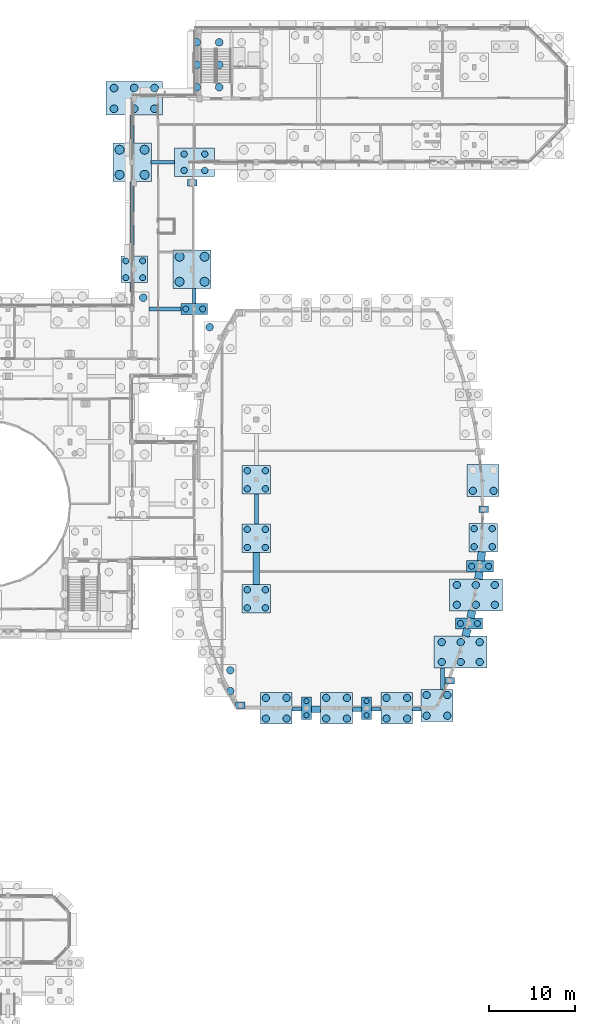
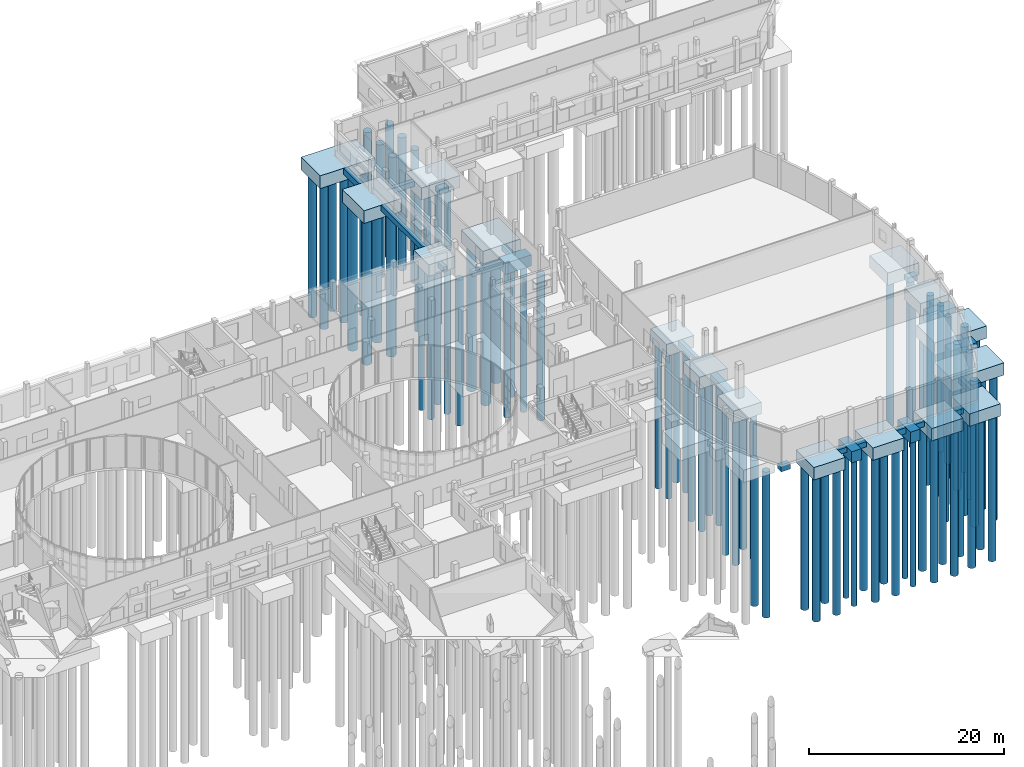
# One storey, part 8 of 93: 88 piles, 43 footings.
"""IFC4 building model written with IfcOpenShell, lengths in metres."""

from ifc_helpers import new_model, si_unit, direction, frame, origin, origin_2d, place, context, subcontext, project, spatial, rectangle, circle, extrude, material, material_profile, profile_set, type_object, element, save


model = new_model("IFC4")

# Units and contexts
model_context = context("Model", 3, precision=1e-05, world=origin(), true_north=direction((0.0, 1.0)))
body_context = subcontext(model_context, "Body", "Model", "MODEL_VIEW")
ifc_project = project(units=[si_unit("LENGTHUNIT", "METRE"), si_unit("AREAUNIT", "SQUARE_METRE"), si_unit("VOLUMEUNIT", "CUBIC_METRE"), si_unit("PLANEANGLEUNIT", "RADIAN"), si_unit("MASSUNIT", "GRAM", prefix="KILO")], contexts=[model_context])

# Site, building, storey
site_placement = place(None, origin())
site = spatial("IfcSite", under=ifc_project, at=site_placement, CompositionType="ELEMENT")
building_placement = place(site_placement, origin())
building = spatial("IfcBuilding", under=site, at=building_placement, Name="Kelanivale Promenade Academy", CompositionType="ELEMENT")
storey_placement = place(building_placement, origin())
storey = spatial("IfcBuildingStorey", under=building, at=storey_placement, Name="L00", CompositionType="ELEMENT", Elevation=0.0)

# Piles
ifc_material = material(Name="Concrete C35/45", Category="concrete")
ifc_material_profile_1 = material_profile(ifc_material, circle(Radius=0.300048828125, at=origin_2d()), Name="BORED PILE D600")
ifc_profile_set_1 = profile_set([ifc_material_profile_1], Name="Concrete C35/45")
pile_type_1 = type_object("IfcPileType", Name="BP-1 BORED PILE D600", PredefinedType="BORED", material=ifc_profile_set_1)
for number, where, z_axis, x_axis, name in (
    (1, (135.801025390625, 32.300048828125, -1.550048828125), (0.0, 0.0, -1.0), (1.0, 0.0, 0.0), "Bored pile FC-158-BP1-P01"),
    (2, (135.801025390625, 33.93994140625, -1.550048828125), (0.0, 0.0, -1.0), (1.0, 0.0, 0.0), "Bored pile FC-158-BP1-P02"),
    (3, (142.787109375, 32.300048828125, -1.550048828125), (0.0, 0.0, -1.0), (1.0, 0.0, 0.0), "Bored pile FC-162-BP1-P01"),
    (4, (142.787109375, 33.93994140625, -1.550048828125), (0.0, 0.0, -1.0), (1.0, 0.0, 0.0), "Bored pile FC-162-BP1-P02"),
):
    element("IfcPile", number, at=place(storey_placement, frame(where, z_axis=z_axis, x_axis=x_axis)), inside=storey, type_object=pile_type_1, Name=name, PredefinedType="BORED", context=body_context, shape_type="SweptSolid", body=[
        extrude(circle(Radius=0.300048828125, at=origin_2d()), origin(), (0.0, 0.0, 1.0), 18.449951171875),
    ])
ifc_material_profile_2 = material_profile(ifc_material, circle(Radius=0.35009765625, at=origin_2d()), Name="BORED PILE D700")
ifc_profile_set_2 = profile_set([ifc_material_profile_2], Name="Concrete C35/45")
pile_type_2 = type_object("IfcPileType", Name="BP-2 BORED PILE D700", PredefinedType="BORED", material=ifc_profile_set_2)
for number, where, z_axis, x_axis, name in (
    (5, (114.8701171875, 83.02001953125, -1.550048828125), (0.0, 0.0, -1.0), (1.0, 0.0, 0.0), "Bored pile FC-139-BP2-P01"),
    (6, (114.8701171875, 84.97998046875, -1.550048828125), (0.0, 0.0, -1.0), (1.0, 0.0, 0.0), "Bored pile FC-139-BP2-P02"),
    (7, (116.830078125, 83.02001953125, -1.550048828125), (0.0, 0.0, -1.0), (1.0, 0.0, 0.0), "Bored pile FC-139-BP2-P03"),
    (8, (116.830078125, 84.97998046875, -1.550048828125), (0.0, 0.0, -1.0), (1.0, 0.0, 0.0), "Bored pile FC-139-BP2-P04"),
):
    element("IfcPile", number, at=place(storey_placement, frame(where, z_axis=z_axis, x_axis=x_axis)), inside=storey, type_object=pile_type_2, Name=name, PredefinedType="BORED", context=body_context, shape_type="SweptSolid", body=[
        extrude(circle(Radius=0.35009765625, at=origin_2d()), origin(), (0.0, 0.0, 1.0), 18.449951171875),
    ])
for number, where, z_axis, x_axis, name in (
    (9, (121.820068359375, 79.39990234375, -1.5), (0.0, 0.0, -1.0), (1.0, 0.0, 0.0), "Bored pile FC-143-BP2-P01"),
    (10, (123.780029296875, 79.39990234375, -1.5), (0.0, 0.0, -1.0), (1.0, 0.0, 0.0), "Bored pile FC-143-BP2-P02"),
):
    element("IfcPile", number, at=place(storey_placement, frame(where, z_axis=z_axis, x_axis=x_axis)), inside=storey, type_object=pile_type_2, Name=name, PredefinedType="BORED", context=body_context, shape_type="SweptSolid", body=[
        extrude(circle(Radius=0.35009765625, at=origin_2d()), origin(), (0.0, 0.0, 1.0), 18.5),
    ])
for number, where, z_axis, x_axis, name in (
    (11, (153.662109375, 42.943115234375, -1.550048828125), (0.0, 0.0, -1.0), (1.0, 0.0, 0.0), "Bored pile FC-176-BP2-P01"),
    (12, (155.6220703125, 42.943115234375, -1.550048828125), (0.0, 0.0, -1.0), (1.0, 0.0, 0.0), "Bored pile FC-176-BP2-P02"),
    (13, (154.9560546875, 49.571044921875, -1.550048828125), (0.0, 0.0, -1.0), (1.0, 0.0, 0.0), "Bored pile FC-182-BP2-P01"),
    (14, (156.916015625, 49.571044921875, -1.550048828125), (0.0, 0.0, -1.0), (1.0, 0.0, 0.0), "Bored pile FC-182-BP2-P02"),
):
    element("IfcPile", number, at=place(storey_placement, frame(where, z_axis=z_axis, x_axis=x_axis)), inside=storey, type_object=pile_type_2, Name=name, PredefinedType="BORED", context=body_context, shape_type="SweptSolid", body=[
        extrude(circle(Radius=0.35009765625, at=origin_2d()), origin(), (0.0, 0.0, 1.0), 18.449951171875),
    ])
ifc_material_profile_3 = material_profile(ifc_material, circle(Radius=0.375, at=origin_2d()), Name="BORED PILE D750")
ifc_profile_set_3 = profile_set([ifc_material_profile_3], Name="Concrete C35/45")
pile_type_3 = type_object("IfcPileType", Name="BP-3 BORED PILE D750", PredefinedType="BORED", material=ifc_profile_set_3)
for number, where, z_axis, x_axis, name in (
    (15, (121.625, 95.449951171875, -1.60009765625), (0.0, 0.0, -1.0), (1.0, 0.0, 0.0), "Bored pile FC-MJ-EN1-BP3-P01"),
    (16, (121.625, 97.35009765625, -1.60009765625), (0.0, 0.0, -1.0), (1.0, 0.0, 0.0), "Bored pile FC-MJ-EN1-BP3-P02"),
    (17, (124.02490234375, 95.449951171875, -1.60009765625), (0.0, 0.0, -1.0), (1.0, 0.0, 0.0), "Bored pile FC-MJ-EN1-BP3-P03"),
    (18, (124.02490234375, 97.35009765625, -1.60009765625), (0.0, 0.0, -1.0), (1.0, 0.0, 0.0), "Bored pile FC-MJ-EN1-BP3-P04"),
):
    element("IfcPile", number, at=place(storey_placement, frame(where, z_axis=z_axis, x_axis=x_axis)), inside=storey, type_object=pile_type_3, Name=name, PredefinedType="BORED", context=body_context, shape_type="SweptSolid", body=[
        extrude(circle(Radius=0.375, at=origin_2d()), origin(), (0.0, 0.0, 1.0), 18.39990234375),
    ])
for number, where, z_axis, x_axis, name in (
    (19, (128.949951171875, 44.75, -1.64990234375), (0.0, 0.0, -1.0), (1.0, 0.0, 0.0), "Bored pile FC-149-BP3-P01"),
    (20, (128.949951171875, 46.85009765625, -1.64990234375), (0.0, 0.0, -1.0), (1.0, 0.0, 0.0), "Bored pile FC-149-BP3-P02"),
    (21, (131.050048828125, 44.75, -1.64990234375), (0.0, 0.0, -1.0), (1.0, 0.0, 0.0), "Bored pile FC-149-BP3-P03"),
    (22, (131.050048828125, 46.85009765625, -1.64990234375), (0.0, 0.0, -1.0), (1.0, 0.0, 0.0), "Bored pile FC-149-BP3-P04"),
    (23, (128.949951171875, 51.75, -1.64990234375), (0.0, 0.0, -1.0), (1.0, 0.0, 0.0), "Bored pile FC-150-BP3-P01"),
    (24, (128.949951171875, 53.85009765625, -1.64990234375), (0.0, 0.0, -1.0), (1.0, 0.0, 0.0), "Bored pile FC-150-BP3-P02"),
    (25, (131.050048828125, 51.75, -1.64990234375), (0.0, 0.0, -1.0), (1.0, 0.0, 0.0), "Bored pile FC-150-BP3-P03"),
    (26, (131.050048828125, 53.85009765625, -1.64990234375), (0.0, 0.0, -1.0), (1.0, 0.0, 0.0), "Bored pile FC-150-BP3-P04"),
    (27, (128.949951171875, 58.550048828125, -1.64990234375), (0.0, 0.0, -1.0), (1.0, 0.0, 0.0), "Bored pile FC-151-BP3-P01"),
    (28, (128.949951171875, 60.64990234375, -1.64990234375), (0.0, 0.0, -1.0), (1.0, 0.0, 0.0), "Bored pile FC-151-BP3-P02"),
    (29, (131.050048828125, 58.550048828125, -1.64990234375), (0.0, 0.0, -1.0), (1.0, 0.0, 0.0), "Bored pile FC-151-BP3-P03"),
    (30, (131.050048828125, 60.64990234375, -1.64990234375), (0.0, 0.0, -1.0), (1.0, 0.0, 0.0), "Bored pile FC-151-BP3-P04"),
    (31, (155.243896484375, 51.8359375, -1.64990234375), (0.0, 0.0, -1.0), (1.0, 0.0, 0.0), "Bored pile FC-183-BP3-P01"),
    (32, (155.243896484375, 53.93603515625, -1.64990234375), (0.0, 0.0, -1.0), (1.0, 0.0, 0.0), "Bored pile FC-183-BP3-P02"),
    (33, (157.343994140625, 51.8359375, -1.64990234375), (0.0, 0.0, -1.0), (1.0, 0.0, 0.0), "Bored pile FC-183-BP3-P03"),
    (34, (157.343994140625, 53.93603515625, -1.64990234375), (0.0, 0.0, -1.0), (1.0, 0.0, 0.0), "Bored pile FC-183-BP3-P04"),
):
    element("IfcPile", number, at=place(storey_placement, frame(where, z_axis=z_axis, x_axis=x_axis)), inside=storey, type_object=pile_type_3, Name=name, PredefinedType="BORED", context=body_context, shape_type="SweptSolid", body=[
        extrude(circle(Radius=0.375, at=origin_2d()), origin(), (0.0, 0.0, 1.0), 18.35009765625),
    ])
ifc_material_profile_4 = material_profile(ifc_material, circle(Radius=0.425048828125, at=origin_2d()), Name="BORED PILE D850")
ifc_profile_set_4 = profile_set([ifc_material_profile_4], Name="Concrete C35/45")
pile_type_4 = type_object("IfcPileType", Name="BP-4 BORED PILE D850", PredefinedType="BORED", material=ifc_profile_set_4)
for number, where, z_axis, x_axis, name in (
    (35, (126.989990234375, 35.114013671875, -1.699951171875), (0.0, 0.0, -1.0), (1.0, 0.0, 0.0), "Bored pile FC-147-BP4-P03"),
    (36, (126.989990234375, 37.513916015625, -1.699951171875), (0.0, 0.0, -1.0), (1.0, 0.0, 0.0), "Bored pile FC-147-BP4-P04"),
    (37, (124.590087890625, 77.285888671875, -1.699951171875), (0.0, 0.0, -1.0), (1.0, 0.0, 0.0), "Bored pile FC-148-BP4-P02"),
    (38, (131.10791015625, 31.919921875, -1.699951171875), (0.0, 0.0, -1.0), (1.0, 0.0, 0.0), "Bored pile FC-154-BP4-P01"),
    (39, (131.10791015625, 34.320068359375, -1.699951171875), (0.0, 0.0, -1.0), (1.0, 0.0, 0.0), "Bored pile FC-154-BP4-P02"),
    (40, (133.508056640625, 31.919921875, -1.699951171875), (0.0, 0.0, -1.0), (1.0, 0.0, 0.0), "Bored pile FC-154-BP4-P03"),
    (41, (133.508056640625, 34.320068359375, -1.699951171875), (0.0, 0.0, -1.0), (1.0, 0.0, 0.0), "Bored pile FC-154-BP4-P04"),
    (42, (138.093994140625, 31.919921875, -1.699951171875), (0.0, 0.0, -1.0), (1.0, 0.0, 0.0), "Bored pile FC-160-BP4-P01"),
    (43, (138.093994140625, 34.320068359375, -1.699951171875), (0.0, 0.0, -1.0), (1.0, 0.0, 0.0), "Bored pile FC-160-BP4-P02"),
    (44, (140.493896484375, 31.919921875, -1.699951171875), (0.0, 0.0, -1.0), (1.0, 0.0, 0.0), "Bored pile FC-160-BP4-P03"),
    (45, (140.493896484375, 34.320068359375, -1.699951171875), (0.0, 0.0, -1.0), (1.0, 0.0, 0.0), "Bored pile FC-160-BP4-P04"),
    (46, (145.080078125, 31.919921875, -1.699951171875), (0.0, 0.0, -1.0), (1.0, 0.0, 0.0), "Bored pile FC-166-BP4-P01"),
    (47, (145.080078125, 34.320068359375, -1.699951171875), (0.0, 0.0, -1.0), (1.0, 0.0, 0.0), "Bored pile FC-166-BP4-P02"),
    (48, (147.47998046875, 31.919921875, -1.699951171875), (0.0, 0.0, -1.0), (1.0, 0.0, 0.0), "Bored pile FC-166-BP4-P03"),
    (49, (147.47998046875, 34.320068359375, -1.699951171875), (0.0, 0.0, -1.0), (1.0, 0.0, 0.0), "Bored pile FC-166-BP4-P04"),
    (50, (149.738037109375, 32.25, -1.699951171875), (0.0, 0.0, -1.0), (1.0, 0.0, 0.0), "Bored pile FC-170-BP4-P01"),
    (51, (149.738037109375, 34.64990234375, -1.699951171875), (0.0, 0.0, -1.0), (1.0, 0.0, 0.0), "Bored pile FC-170-BP4-P02"),
    (52, (152.137939453125, 32.25, -1.699951171875), (0.0, 0.0, -1.0), (1.0, 0.0, 0.0), "Bored pile FC-170-BP4-P03"),
    (53, (152.137939453125, 34.64990234375, -1.699951171875), (0.0, 0.0, -1.0), (1.0, 0.0, 0.0), "Bored pile FC-170-BP4-P04"),
    (54, (151.489013671875, 38.47900390625, -1.699951171875), (0.0, 0.0, -1.0), (1.0, 0.0, 0.0), "Bored pile FC-174-BP4-P01"),
    (55, (153.68896484375, 38.47900390625, -1.699951171875), (0.0, 0.0, -1.0), (1.0, 0.0, 0.0), "Bored pile FC-174-BP4-P02"),
    (56, (155.888916015625, 38.47900390625, -1.699951171875), (0.0, 0.0, -1.0), (1.0, 0.0, 0.0), "Bored pile FC-174-BP4-P03"),
    (57, (151.489013671875, 40.779052734375, -1.699951171875), (0.0, 0.0, -1.0), (1.0, 0.0, 0.0), "Bored pile FC-174-BP4-P04"),
    (58, (153.68896484375, 40.779052734375, -1.699951171875), (0.0, 0.0, -1.0), (1.0, 0.0, 0.0), "Bored pile FC-174-BP4-P05"),
    (59, (155.888916015625, 40.779052734375, -1.699951171875), (0.0, 0.0, -1.0), (1.0, 0.0, 0.0), "Bored pile FC-174-BP4-P06"),
    (60, (153.240966796875, 45.10693359375, -1.699951171875), (0.0, 0.0, -1.0), (1.0, 0.0, 0.0), "Bored pile FC-180-BP4-P01"),
    (61, (155.44091796875, 45.10693359375, -1.699951171875), (0.0, 0.0, -1.0), (1.0, 0.0, 0.0), "Bored pile FC-180-BP4-P02"),
    (62, (157.64111328125, 45.10693359375, -1.699951171875), (0.0, 0.0, -1.0), (1.0, 0.0, 0.0), "Bored pile FC-180-BP4-P03"),
    (63, (153.240966796875, 47.406982421875, -1.699951171875), (0.0, 0.0, -1.0), (1.0, 0.0, 0.0), "Bored pile FC-180-BP4-P04"),
    (64, (155.44091796875, 47.406982421875, -1.699951171875), (0.0, 0.0, -1.0), (1.0, 0.0, 0.0), "Bored pile FC-180-BP4-P05"),
    (65, (157.64111328125, 47.406982421875, -1.699951171875), (0.0, 0.0, -1.0), (1.0, 0.0, 0.0), "Bored pile FC-180-BP4-P06"),
    (66, (155.093994140625, 58.31396484375, -1.699951171875), (0.0, 0.0, -1.0), (1.0, 0.0, 0.0), "Bored pile FC-184-BP4-P01"),
    (67, (157.493896484375, 58.31396484375, -1.699951171875), (0.0, 0.0, -1.0), (1.0, 0.0, 0.0), "Bored pile FC-184-BP4-P03"),
):
    element("IfcPile", number, at=place(storey_placement, frame(where, z_axis=z_axis, x_axis=x_axis)), inside=storey, type_object=pile_type_4, Name=name, PredefinedType="BORED", context=body_context, shape_type="SweptSolid", body=[
        extrude(circle(Radius=0.425048828125, at=origin_2d()), origin(), (0.0, 0.0, 1.0), 18.300048828125),
    ])
ifc_material_profile_5 = material_profile(ifc_material, circle(Radius=0.449951171875, at=origin_2d()), Name="BORED PILE D900")
ifc_profile_set_5 = profile_set([ifc_material_profile_5], Name="Concrete C35/45")
pile_type_5 = type_object("IfcPileType", Name="BP-5 BORED PILE D900", PredefinedType="BORED", material=ifc_profile_set_5)
for number, where, z_axis, x_axis, name in (
    (68, (123.10009765625, 105.10009765625, -3.300048828125), (0.0, 0.0, -1.0), (1.0, 0.0, 0.0), "Bored pile FC-CORE-05-BP5-P01"),
    (69, (123.10009765625, 107.699951171875, -3.300048828125), (0.0, 0.0, -1.0), (1.0, 0.0, 0.0), "Bored pile FC-CORE-05-BP5-P02"),
    (70, (123.10009765625, 110.300048828125, -3.300048828125), (0.0, 0.0, -1.0), (1.0, 0.0, 0.0), "Bored pile FC-CORE-05-BP5-P03"),
    (71, (125.699951171875, 105.10009765625, -3.300048828125), (0.0, 0.0, -1.0), (1.0, 0.0, 0.0), "Bored pile FC-CORE-05-BP5-P04"),
    (72, (125.699951171875, 107.699951171875, -3.300048828125), (0.0, 0.0, -1.0), (1.0, 0.0, 0.0), "Bored pile FC-CORE-05-BP5-P05"),
    (73, (125.699951171875, 110.300048828125, -3.300048828125), (0.0, 0.0, -1.0), (1.0, 0.0, 0.0), "Bored pile FC-CORE-05-BP5-P06"),
):
    element("IfcPile", number, at=place(storey_placement, frame(where, z_axis=z_axis, x_axis=x_axis)), inside=storey, type_object=pile_type_5, Name=name, PredefinedType="BORED", context=body_context, shape_type="SweptSolid", body=[
        extrude(circle(Radius=0.449951171875, at=origin_2d()), origin(), (0.0, 0.0, 1.0), 16.699951171875),
    ])
for number, where, z_axis, x_axis, name in (
    (74, (116.89990234375, 80.699951171875, -1.699951171875), (0.0, 0.0, -1.0), (1.0, 0.0, 0.0), "Bored pile FC-137-BP5-P04"),
    (75, (113.5, 102.60009765625, -1.699951171875), (0.0, 0.0, -1.0), (1.0, 0.0, 0.0), "Bored pile FC-140-BP5-P01"),
    (76, (115.85009765625, 102.60009765625, -1.699951171875), (0.0, 0.0, -1.0), (1.0, 0.0, 0.0), "Bored pile FC-140-BP5-P02"),
    (77, (118.199951171875, 102.60009765625, -1.699951171875), (0.0, 0.0, -1.0), (1.0, 0.0, 0.0), "Bored pile FC-140-BP5-P03"),
    (78, (113.5, 105.0, -1.699951171875), (0.0, 0.0, -1.0), (1.0, 0.0, 0.0), "Bored pile FC-140-BP5-P04"),
    (79, (115.85009765625, 105.0, -1.699951171875), (0.0, 0.0, -1.0), (1.0, 0.0, 0.0), "Bored pile FC-140-BP5-P05"),
    (80, (118.199951171875, 105.0, -1.699951171875), (0.0, 0.0, -1.0), (1.0, 0.0, 0.0), "Bored pile FC-140-BP5-P06"),
):
    element("IfcPile", number, at=place(storey_placement, frame(where, z_axis=z_axis, x_axis=x_axis)), inside=storey, type_object=pile_type_5, Name=name, PredefinedType="BORED", context=body_context, shape_type="SweptSolid", body=[
        extrude(circle(Radius=0.449951171875, at=origin_2d()), origin(), (0.0, 0.0, 1.0), 18.300048828125),
    ])
ifc_material_profile_6 = material_profile(ifc_material, circle(Radius=0.52490234375, at=origin_2d()), Name="BORED PILE D1050")
ifc_profile_set_6 = profile_set([ifc_material_profile_6], Name="Concrete C35/45")
pile_type_6 = type_object("IfcPileType", Name="BP-6 BORED PILE D1050", PredefinedType="BORED", material=ifc_profile_set_6)
for number, where, z_axis, x_axis, name in (
    (81, (114.14990234375, 94.949951171875, -1.699951171875), (0.0, 0.0, -1.0), (1.0, 0.0, 0.0), "Bored pile FC-138-BP6-P01"),
    (82, (114.14990234375, 97.85009765625, -1.699951171875), (0.0, 0.0, -1.0), (1.0, 0.0, 0.0), "Bored pile FC-138-BP6-P02"),
    (83, (117.050048828125, 94.949951171875, -1.699951171875), (0.0, 0.0, -1.0), (1.0, 0.0, 0.0), "Bored pile FC-138-BP6-P03"),
    (84, (117.050048828125, 97.85009765625, -1.699951171875), (0.0, 0.0, -1.0), (1.0, 0.0, 0.0), "Bored pile FC-138-BP6-P04"),
    (85, (121.10009765625, 82.550048828125, -1.699951171875), (0.0, 0.0, -1.0), (1.0, 0.0, 0.0), "Bored pile FC-141-BP6-P01"),
    (86, (121.10009765625, 85.449951171875, -1.699951171875), (0.0, 0.0, -1.0), (1.0, 0.0, 0.0), "Bored pile FC-141-BP6-P02"),
    (87, (124.0, 82.550048828125, -1.699951171875), (0.0, 0.0, -1.0), (1.0, 0.0, 0.0), "Bored pile FC-141-BP6-P03"),
    (88, (124.0, 85.449951171875, -1.699951171875), (0.0, 0.0, -1.0), (1.0, 0.0, 0.0), "Bored pile FC-141-BP6-P04"),
):
    element("IfcPile", number, at=place(storey_placement, frame(where, z_axis=z_axis, x_axis=x_axis)), inside=storey, type_object=pile_type_6, Name=name, PredefinedType="BORED", context=body_context, shape_type="SweptSolid", body=[
        extrude(circle(Radius=0.52490234375, at=origin_2d()), origin(), (0.0, 0.0, 1.0), 18.300048828125),
    ])

# Footings
footing_type_1 = type_object("IfcFootingType", Name="GB-01 450x650", PredefinedType="FOOTING_BEAM", material=ifc_material)
for number, where, z_axis, x_axis, name in (
    (89, (134.69189453125, 33.0, -0.949951171875), (0.0, 0.0, 1.0), (1.0, 0.0, 0.0), "Ground beam GB-076"),
    (90, (143.89599609375, 33.0, -0.949951171875), (0.0, 0.0, 1.0), (1.0, 0.0, 0.0), "Ground beam GB-079"),
):
    element("IfcFooting", number, at=place(storey_placement, frame(where, z_axis=z_axis, x_axis=x_axis)), inside=storey, type_object=footing_type_1, Name=name, PredefinedType="FOOTING_BEAM", context=body_context, shape_type="SweptSolid", body=[
        extrude(rectangle(XDim=1.077880859375, YDim=0.449951171875, at=origin_2d()), origin(), (0.0, 0.0, 1.0), 0.64990234375),
    ])
footing_1_placement = place(storey_placement, frame((148.60888671875, 33.0, -0.949951171875), z_axis=(0.0, 0.0, 1.0), x_axis=(1.0, 0.0, 0.0)))
element("IfcFooting", 91, at=footing_1_placement, inside=storey, type_object=footing_type_1, Name="Ground beam GB-080", PredefinedType="FOOTING_BEAM", context=body_context, shape_type="SweptSolid", body=[
    extrude(rectangle(XDim=0.968017578125, YDim=0.449951171875, at=origin_2d()), origin(), (0.0, 0.0, 1.0), 0.64990234375),
])
footing_2_placement = place(storey_placement, frame((119.39990234375, 79.39990234375, -0.89990234375), z_axis=(0.0, 0.0, 1.0), x_axis=(1.0, 0.0, 0.0)))
element("IfcFooting", 92, at=footing_2_placement, inside=storey, type_object=footing_type_1, Name="Ground beam GB-107", PredefinedType="FOOTING_BEAM", context=body_context, shape_type="SweptSolid", body=[
    extrude(rectangle(XDim=3.7099609375, YDim=0.449951171875, at=origin_2d()), origin(), (0.0, 0.0, 1.0), 0.64990234375),
])
footing_3_placement = place(storey_placement, frame((119.175048828125, 96.39990234375, -0.89990234375), z_axis=(0.0, 0.0, 1.0), x_axis=(1.0, 0.0, 0.0)))
element("IfcFooting", 93, at=footing_3_placement, inside=storey, type_object=footing_type_1, Name="Ground beam GB-113", PredefinedType="FOOTING_BEAM", context=body_context, shape_type="SweptSolid", body=[
    extrude(rectangle(XDim=2.7099609375, YDim=0.449951171875, at=origin_2d()), origin(), (0.0, 0.0, 1.0), 0.64990234375),
])
footing_4_placement = place(storey_placement, frame((115.60009765625, 81.89990234375, -0.89990234375), z_axis=(0.0, 0.0, 1.0), x_axis=(0.0, 1.0, 0.0)))
element("IfcFooting", 94, at=footing_4_placement, inside=storey, type_object=footing_type_1, Name="Ground beam GB-184", PredefinedType="FOOTING_BEAM", context=body_context, shape_type="SweptSolid", body=[
    extrude(rectangle(XDim=1.110107421875, YDim=0.449951171875, at=origin_2d()), origin(), (0.0, 0.0, 1.0), 0.64990234375),
])
footing_5_placement = place(storey_placement, frame((115.60009765625, 89.863037109375, -0.89990234375), z_axis=(0.0, 0.0, 1.0), x_axis=(0.0, 1.0, 0.0)))
element("IfcFooting", 95, at=footing_5_placement, inside=storey, type_object=footing_type_1, Name="Ground beam GB-185", PredefinedType="FOOTING_BEAM", context=body_context, shape_type="SweptSolid", body=[
    extrude(rectangle(XDim=8.635009765625, YDim=0.449951171875, at=origin_2d()), origin(), (0.0, 0.0, 1.0), 0.64990234375),
])
footing_6_placement = place(storey_placement, frame((122.800048828125, 80.9130859375, -0.89990234375), z_axis=(0.0, 0.0, 1.0), x_axis=(0.0, 1.0, 0.0)))
element("IfcFooting", 96, at=footing_6_placement, inside=storey, type_object=footing_type_1, Name="Ground beam GB-188", PredefinedType="FOOTING_BEAM", context=body_context, shape_type="SweptSolid", body=[
    extrude(rectangle(XDim=1.735107421875, YDim=0.449951171875, at=origin_2d()), origin(), (0.0, 0.0, 1.0), 0.64990234375),
])
footing_7_placement = place(storey_placement, frame((130.0, 56.199951171875, -0.949951171875), z_axis=(0.0, 0.0, 1.0), x_axis=(0.0, 1.0, 0.0)))
element("IfcFooting", 97, at=footing_7_placement, inside=storey, type_object=footing_type_1, Name="Ground beam GB-190", PredefinedType="FOOTING_BEAM", context=body_context, shape_type="SweptSolid", body=[
    extrude(rectangle(XDim=3.510009765625, YDim=0.449951171875, at=origin_2d()), origin(), (0.0, 0.0, 1.0), 0.64990234375),
])
footing_8_placement = place(storey_placement, frame((151.60009765625, 36.5400390625, -0.949951171875), z_axis=(0.0, 0.0, 1.0), x_axis=(0.0, 1.0, 0.0)))
element("IfcFooting", 98, at=footing_8_placement, inside=storey, type_object=footing_type_1, Name="Ground beam GB-193", PredefinedType="FOOTING_BEAM", context=body_context, shape_type="SweptSolid", body=[
    extrude(rectangle(XDim=2.489013671875, YDim=0.449951171875, at=origin_2d()), origin(), (0.0, 0.0, 1.0), 0.64990234375),
])
footing_type_2 = type_object("IfcFootingType", Name="GB-02 500x750", PredefinedType="FOOTING_BEAM", material=ifc_material)
footing_9_placement = place(storey_placement, frame((141.677978515625, 33.0, -1.050048828125), z_axis=(0.0, 0.0, 1.0), x_axis=(1.0, 0.0, 0.0)))
element("IfcFooting", 99, at=footing_9_placement, inside=storey, type_object=footing_type_2, Name="Ground beam GB-078", PredefinedType="FOOTING_BEAM", context=body_context, shape_type="SweptSolid", body=[
    extrude(rectangle(XDim=1.077880859375, YDim=0.5, at=origin_2d()), origin(), (0.0, 0.0, 1.0), 0.75),
])
footing_10_placement = place(storey_placement, frame((115.60009765625, 100.237060546875, -1.0), z_axis=(0.0, 0.0, 1.0), x_axis=(0.0, 1.0, 0.0)))
element("IfcFooting", 100, at=footing_10_placement, inside=storey, type_object=footing_type_2, Name="Ground beam GB-186", PredefinedType="FOOTING_BEAM", context=body_context, shape_type="SweptSolid", body=[
    extrude(rectangle(XDim=3.235107421875, YDim=0.5, at=origin_2d()), origin(), (0.0, 0.0, 1.0), 0.75),
])
footing_type_3 = type_object("IfcFootingType", Name="PC-01 Pile Cap 2650x1150x1400", PredefinedType="PILE_CAP", material=ifc_material)
for number, where, z_axis, x_axis, name in (
    (101, (135.801025390625, 33.1201171875, -1.699951171875), (0.0, 0.0, 1.0), (0.0, 1.0, 0.0), "Pile cap FC-158"),
    (102, (142.787109375, 33.1201171875, -1.699951171875), (0.0, 0.0, 1.0), (0.0, 1.0, 0.0), "Pile cap FC-162"),
):
    element("IfcFooting", number, at=place(storey_placement, frame(where, z_axis=z_axis, x_axis=x_axis)), inside=storey, type_object=footing_type_3, Name=name, PredefinedType="PILE_CAP", context=body_context, shape_type="SweptSolid", body=[
        extrude(rectangle(XDim=2.64990234375, YDim=1.14990234375, at=origin_2d()), origin(), (0.0, 0.0, 1.0), 1.39990234375),
    ])
footing_type_4 = type_object("IfcFootingType", Name="PC-03 Pile Cap 3100x1300x1400", PredefinedType="PILE_CAP", material=ifc_material)
for number, where, z_axis, x_axis, name in (
    (103, (122.800048828125, 79.39990234375, -1.64990234375), (0.0, 0.0, 1.0), (1.0, 0.0, 0.0), "Pile cap FC-143"),
    (104, (154.64208984375, 42.943115234375, -1.699951171875), (0.0, 0.0, 1.0), (1.0, 0.0, 0.0), "Pile cap FC-176"),
    (105, (155.93603515625, 49.571044921875, -1.699951171875), (0.0, 0.0, 1.0), (1.0, 0.0, 0.0), "Pile cap FC-182"),
):
    element("IfcFooting", number, at=place(storey_placement, frame(where, z_axis=z_axis, x_axis=x_axis)), inside=storey, type_object=footing_type_4, Name=name, PredefinedType="PILE_CAP", context=body_context, shape_type="SweptSolid", body=[
        extrude(rectangle(XDim=3.10009765625, YDim=1.300048828125, at=origin_2d()), origin(), (0.0, 0.0, 1.0), 1.39990234375),
    ])
footing_type_5 = type_object("IfcFootingType", Name="PC-04 Pile Cap 3100x3100x1450", PredefinedType="PILE_CAP", material=ifc_material)
footing_11_placement = place(storey_placement, frame((115.85009765625, 84.0, -1.7001953125), z_axis=(0.0, 0.0, 1.0), x_axis=(1.0, 0.0, 0.0)))
element("IfcFooting", 106, at=footing_11_placement, inside=storey, type_object=footing_type_5, Name="Pile cap FC-139", PredefinedType="PILE_CAP", context=body_context, shape_type="SweptSolid", body=[
    extrude(rectangle(XDim=3.10009765625, YDim=3.10009765625, at=origin_2d()), origin(), (0.0, 0.0, 1.0), 1.449951171875),
])
footing_type_6 = type_object("IfcFootingType", Name="PC-05 Pile Cap 3300x3300x1500", PredefinedType="PILE_CAP", material=ifc_material)
for number, where, z_axis, x_axis, name in (
    (107, (130.0, 45.800048828125, -1.800048828125), (0.0, 0.0, 1.0), (1.0, 0.0, 0.0), "Pile cap FC-149"),
    (108, (130.0, 52.800048828125, -1.800048828125), (0.0, 0.0, 1.0), (1.0, 0.0, 0.0), "Pile cap FC-150"),
    (109, (130.0, 59.60009765625, -1.800048828125), (0.0, 0.0, 1.0), (1.0, 0.0, 0.0), "Pile cap FC-151"),
    (110, (156.2939453125, 52.885986328125, -1.800048828125), (0.0, 0.0, 1.0), (1.0, 0.0, 0.0), "Pile cap FC-183"),
):
    element("IfcFooting", number, at=place(storey_placement, frame(where, z_axis=z_axis, x_axis=x_axis)), inside=storey, type_object=footing_type_6, Name=name, PredefinedType="PILE_CAP", context=body_context, shape_type="SweptSolid", body=[
        extrude(rectangle(XDim=3.300048828125, YDim=3.300048828125, at=origin_2d()), origin(), (0.0, 0.0, 1.0), 1.5),
    ])
footing_type_7 = type_object("IfcFootingType", Name="PC-07 Pile Cap 3700x3700x1550", PredefinedType="PILE_CAP", material=ifc_material)
for number, where, z_axis, x_axis, name in (
    (111, (132.30810546875, 33.1201171875, -1.85009765625), (0.0, 0.0, 1.0), (1.0, 0.0, 0.0), "Pile cap FC-154"),
    (112, (139.2939453125, 33.1201171875, -1.85009765625), (0.0, 0.0, 1.0), (1.0, 0.0, 0.0), "Pile cap FC-160"),
    (113, (146.280029296875, 33.1201171875, -1.85009765625), (0.0, 0.0, 1.0), (1.0, 0.0, 0.0), "Pile cap FC-166"),
    (114, (150.93798828125, 33.449951171875, -1.85009765625), (0.0, 0.0, 1.0), (1.0, 0.0, 0.0), "Pile cap FC-170"),
    (115, (156.2939453125, 59.513916015625, -1.85009765625), (0.0, 0.0, 1.0), (1.0, 0.0, 0.0), "Pile cap FC-184"),
):
    element("IfcFooting", number, at=place(storey_placement, frame(where, z_axis=z_axis, x_axis=x_axis)), inside=storey, type_object=footing_type_7, Name=name, PredefinedType="PILE_CAP", context=body_context, shape_type="SweptSolid", body=[
        extrude(rectangle(XDim=3.699951171875, YDim=3.699951171875, at=origin_2d()), origin(), (0.0, 0.0, 1.0), 1.550048828125),
    ])
footing_type_8 = type_object("IfcFootingType", Name="PC-08 Pile Cap 6150x3700x1550", PredefinedType="PILE_CAP", material=ifc_material)
for number, where, z_axis, x_axis, name in (
    (116, (153.68896484375, 39.62890625, -1.85009765625), (0.0, 0.0, 1.0), (1.0, 0.0, 0.0), "Pile cap FC-174"),
    (117, (155.44091796875, 46.257080078125, -1.85009765625), (0.0, 0.0, 1.0), (1.0, 0.0, 0.0), "Pile cap FC-180"),
):
    element("IfcFooting", number, at=place(storey_placement, frame(where, z_axis=z_axis, x_axis=x_axis)), inside=storey, type_object=footing_type_8, Name=name, PredefinedType="PILE_CAP", context=body_context, shape_type="SweptSolid", body=[
        extrude(rectangle(XDim=6.14990234375, YDim=3.699951171875, at=origin_2d()), origin(), (0.0, 0.0, 1.0), 1.550048828125),
    ])
footing_type_9 = type_object("IfcFootingType", Name="PC-10 Pile Cap 6500x3900x1600", PredefinedType="PILE_CAP", material=ifc_material)
footing_12_placement = place(storey_placement, frame((115.85009765625, 103.800048828125, -1.85009765625), z_axis=(0.0, 0.0, 1.0), x_axis=(1.0, 0.0, 0.0)))
element("IfcFooting", 118, at=footing_12_placement, inside=storey, type_object=footing_type_9, Name="Pile cap FC-140", PredefinedType="PILE_CAP", context=body_context, shape_type="SweptSolid", body=[
    extrude(rectangle(XDim=6.5, YDim=3.89990234375, at=origin_2d()), origin(), (0.0, 0.0, 1.0), 1.60009765625),
])
footing_type_10 = type_object("IfcFootingType", Name="PC-11 Pile Cap 4450x4450x1600", PredefinedType="PILE_CAP", material=ifc_material)
for number, where, z_axis, x_axis, name in (
    (119, (115.60009765625, 96.39990234375, -1.85009765625), (0.0, 0.0, 1.0), (1.0, 0.0, 0.0), "Pile cap FC-138"),
    (120, (122.550048828125, 84.0, -1.85009765625), (0.0, 0.0, 1.0), (1.0, 0.0, 0.0), "Pile cap FC-141"),
):
    element("IfcFooting", number, at=place(storey_placement, frame(where, z_axis=z_axis, x_axis=x_axis)), inside=storey, type_object=footing_type_10, Name=name, PredefinedType="PILE_CAP", context=body_context, shape_type="SweptSolid", body=[
        extrude(rectangle(XDim=4.449951171875, YDim=4.449951171875, at=origin_2d()), origin(), (0.0, 0.0, 1.0), 1.60009765625),
    ])
footing_type_11 = type_object("IfcFootingType", Name="PC-J1 Pile Cap 4600x3300x1500", PredefinedType="PILE_CAP", material=ifc_material)
footing_13_placement = place(storey_placement, frame((122.824951171875, 96.39990234375, -1.75), z_axis=(0.0, 0.0, 1.0), x_axis=(1.0, 0.0, 0.0)))
element("IfcFooting", 121, at=footing_13_placement, inside=storey, type_object=footing_type_11, Name="Pile cap FC-MJ-EN1", PredefinedType="PILE_CAP", context=body_context, shape_type="SweptSolid", body=[
    extrude(rectangle(XDim=4.60009765625, YDim=3.300048828125, at=origin_2d()), origin(), (0.0, 0.0, 1.0), 1.5),
])
footing_type_12 = type_object("IfcFootingType", Name="SF-01 750x650", PredefinedType="STRIP_FOOTING", material=ifc_material)
for number, where, z_axis, x_axis, name in (
    (122, (122.550048828125, 94.0, -0.89990234375), (0.0, 0.0, 1.0), (1.0, 0.0, 0.0), "Column pad footing FPAD-015"),
    (123, (128.14990234375, 33.449951171875, -0.949951171875), (0.0, 0.0, 1.0), (1.0, 0.0, 0.0), "Column pad footing FPAD-020"),
    (124, (152.406982421875, 36.31396484375, -0.949951171875), (0.0, 0.0, 1.0), (1.0, 0.0, 0.0), "Column pad footing FPAD-025"),
    (125, (156.360107421875, 56.199951171875, -0.949951171875), (0.0, 0.0, 1.0), (1.0, 0.0, 0.0), "Column pad footing FPAD-028"),
):
    element("IfcFooting", number, at=place(storey_placement, frame(where, z_axis=z_axis, x_axis=x_axis)), inside=storey, type_object=footing_type_12, Name=name, PredefinedType="STRIP_FOOTING", context=body_context, shape_type="SweptSolid", body=[
        extrude(rectangle(XDim=1.10009765625, YDim=0.75, at=origin_2d()), origin(), (0.0, 0.0, 1.0), 0.64990234375),
    ])
footing_14_placement = place(storey_placement, frame((136.909912109375, 33.0, -0.949951171875), z_axis=(0.0, 0.0, 1.0), x_axis=(1.0, 0.0, 0.0)))
element("IfcFooting", 126, at=footing_14_placement, inside=storey, type_object=footing_type_12, Name="Ground beam GB-077", PredefinedType="STRIP_FOOTING", context=body_context, shape_type="SweptSolid", body=[
    extrude(rectangle(XDim=1.077880859375, YDim=0.75, at=origin_2d()), origin(), (0.0, 0.0, 1.0), 0.64990234375),
])
footing_15_placement = place(storey_placement, frame((130.0, 49.300048828125, -0.949951171875), z_axis=(0.0, 0.0, 1.0), x_axis=(0.0, 1.0, 0.0)))
element("IfcFooting", 127, at=footing_15_placement, inside=storey, type_object=footing_type_12, Name="Ground beam GB-189", PredefinedType="STRIP_FOOTING", context=body_context, shape_type="SweptSolid", body=[
    extrude(rectangle(XDim=3.7099609375, YDim=0.75, at=origin_2d()), origin(), (0.0, 0.0, 1.0), 0.64990234375),
])
footing_type_13 = type_object("IfcFootingType", Name="SF-02 900x700", PredefinedType="STRIP_FOOTING", material=ifc_material)
footing_16_placement = place(storey_placement, frame((154.364990234375, 41.885986328125, -1.0), z_axis=(0.0, 0.0, 1.0), x_axis=(0.287026159226, 0.957922744234, 0.0)))
element("IfcFooting", 128, at=footing_16_placement, inside=storey, type_object=footing_type_13, Name="Curved ring foundation beam GB-013", PredefinedType="STRIP_FOOTING", context=body_context, shape_type="SweptSolid", body=[
    extrude(rectangle(XDim=0.8798828125, YDim=0.89990234375, at=origin_2d()), origin(), (0.0, 0.0, 1.0), 0.699951171875),
])
footing_17_placement = place(storey_placement, frame((154.924072265625, 44.0, -1.0), z_axis=(0.0, 0.0, 1.0), x_axis=(0.223250116011, 0.974761194191, 0.0)))
element("IfcFooting", 129, at=footing_17_placement, inside=storey, type_object=footing_type_13, Name="Curved ring foundation beam GB-014", PredefinedType="STRIP_FOOTING", context=body_context, shape_type="SweptSolid", body=[
    extrude(rectangle(XDim=0.864990234375, YDim=0.89990234375, at=origin_2d()), origin(), (0.0, 0.0, 1.0), 0.699951171875),
])
footing_18_placement = place(storey_placement, frame((155.804931640625, 48.513916015625, -1.0), z_axis=(0.0, 0.0, 1.0), x_axis=(0.159381532672, 0.987217061767, 0.0)))
element("IfcFooting", 130, at=footing_18_placement, inside=storey, type_object=footing_type_13, Name="Curved ring foundation beam GB-015", PredefinedType="STRIP_FOOTING", context=body_context, shape_type="SweptSolid", body=[
    extrude(rectangle(XDim=0.85498046875, YDim=0.89990234375, at=origin_2d()), origin(), (0.0, 0.0, 1.0), 0.699951171875),
])
footing_19_placement = place(storey_placement, frame((156.0869140625, 50.72900390625, -1.0), z_axis=(0.0, 0.0, 1.0), x_axis=(0.095480914329, 0.995431260811, 0.0)))
element("IfcFooting", 131, at=footing_19_placement, inside=storey, type_object=footing_type_13, Name="Curved ring foundation beam GB-016", PredefinedType="STRIP_FOOTING", context=body_context, shape_type="SweptSolid", body=[
    extrude(rectangle(XDim=1.050048828125, YDim=0.89990234375, at=origin_2d()), origin(), (0.0, 0.0, 1.0), 0.699951171875),
])

save(model, "model.ifc")
